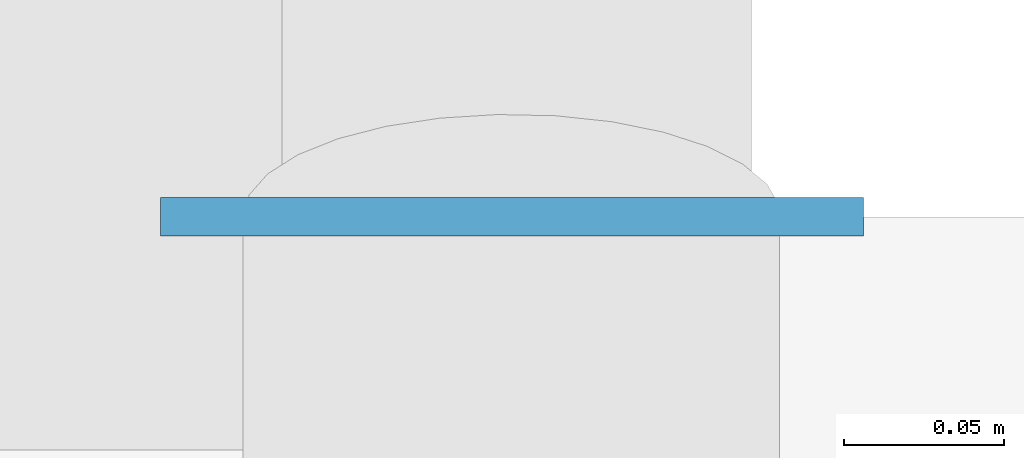
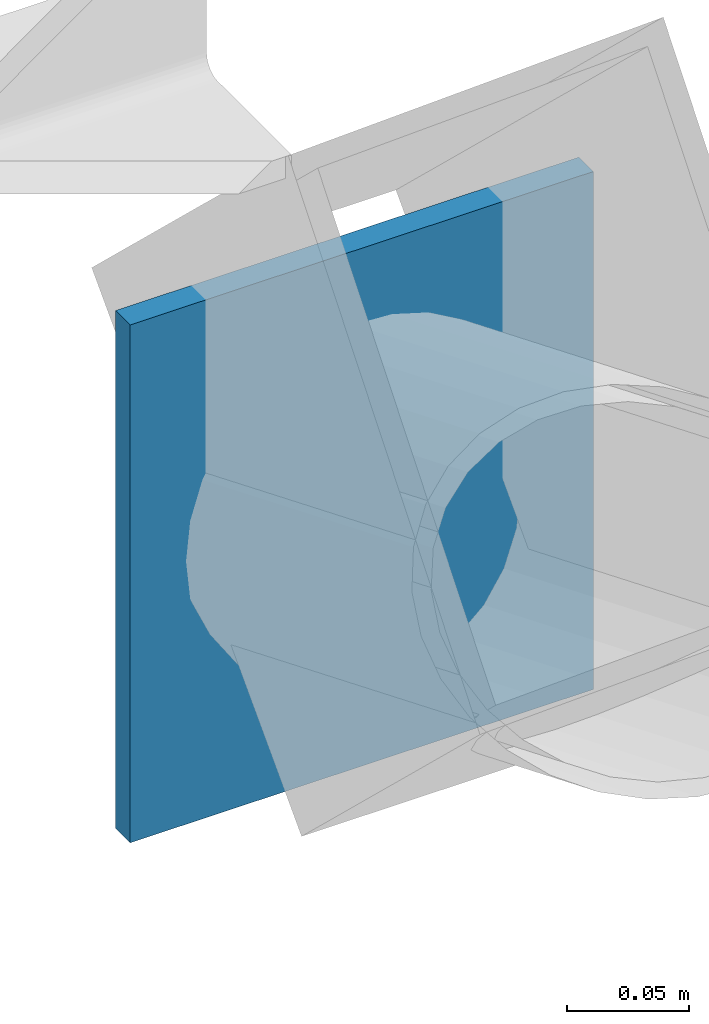
# One storey, part 118 of 144: 1 plate.
"""IFC4 building model written with IfcOpenShell, lengths in metres."""

from ifc_helpers import new_model, si_unit, direction, frame, origin, origin_2d, place, context, subcontext, project, spatial, rectangle, extrude, material, layer, layer_set, type_object, element, save


model = new_model("IFC4")

# Units and contexts
model_context = context("Model", 3, precision=1e-05, world=origin(), true_north=direction((0.0, 1.0)))
body_context = subcontext(model_context, "Body", "Model", "MODEL_VIEW")
ifc_project = project(units=[si_unit("LENGTHUNIT", "METRE"), si_unit("AREAUNIT", "SQUARE_METRE"), si_unit("VOLUMEUNIT", "CUBIC_METRE"), si_unit("PLANEANGLEUNIT", "RADIAN"), si_unit("MASSUNIT", "GRAM", prefix="KILO")], contexts=[model_context])

# Site, building, storey
site_placement = place(None, origin())
site = spatial("IfcSite", under=ifc_project, at=site_placement, CompositionType="ELEMENT")
building_placement = place(site_placement, origin())
building = spatial("IfcBuilding", under=site, at=building_placement, Name="Trelmorton Wharf Fire Station", CompositionType="ELEMENT")
storey_placement = place(building_placement, frame((0.0, 0.0, 5.39990234375)))
storey = spatial("IfcBuildingStorey", under=building, at=storey_placement, Name="L01", CompositionType="ELEMENT", Elevation=5.39990234375)

# Plate
ifc_material = material(Name="Steel Grade 350", Category="steel")
ifc_layer = layer(ifc_material, 0.011962890625)
ifc_layer_set = layer_set([ifc_layer], Name="Steel Grade 350")
plate_type = type_object("IfcPlateType", Name="PL_ENDCAP_12", PredefinedType="SHEET", material=ifc_layer_set)
plate_placement = place(storey_placement, frame((56.800048828125, 35.39990234375, 2.076171875), z_axis=(0.0, 0.0, 1.0), x_axis=(1.0, 0.0, 0.0)))
element("IfcPlate", 1, at=plate_placement, inside=storey, type_object=plate_type, Name="PL-EC-0043", PredefinedType="SHEET", context=body_context, shape_type="SweptSolid", body=[
    extrude(rectangle(XDim=0.219970703125, YDim=0.011962890625, at=origin_2d()), origin(), (0.0, 0.0, 1.0), 0.260009765625),
])

save(model, "model.ifc")
